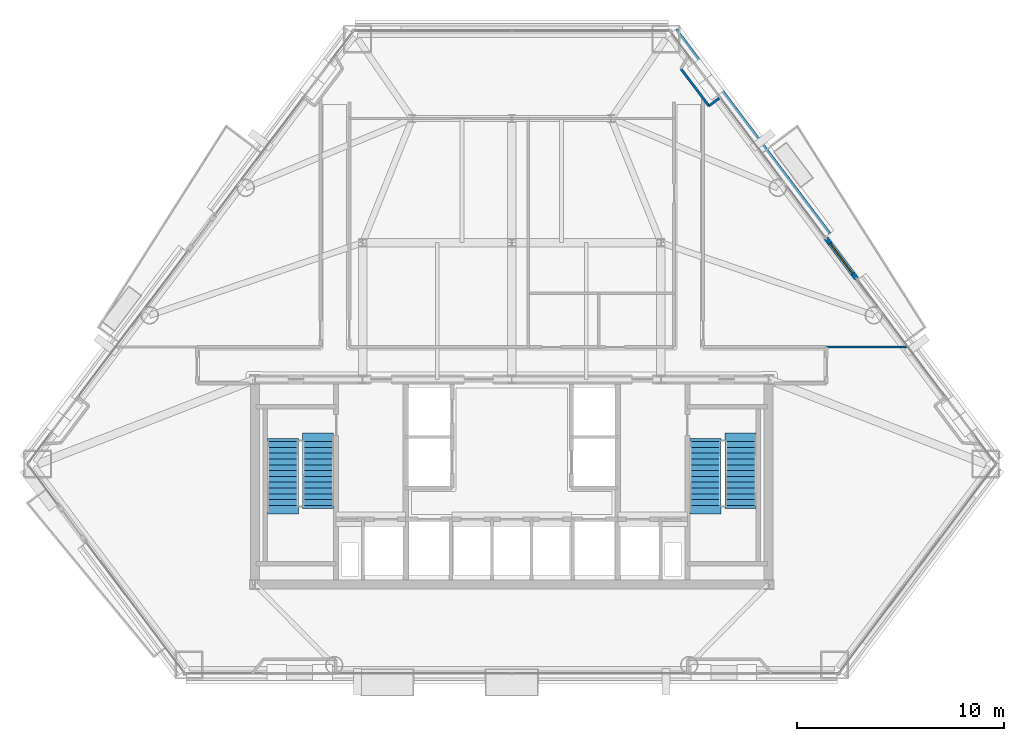
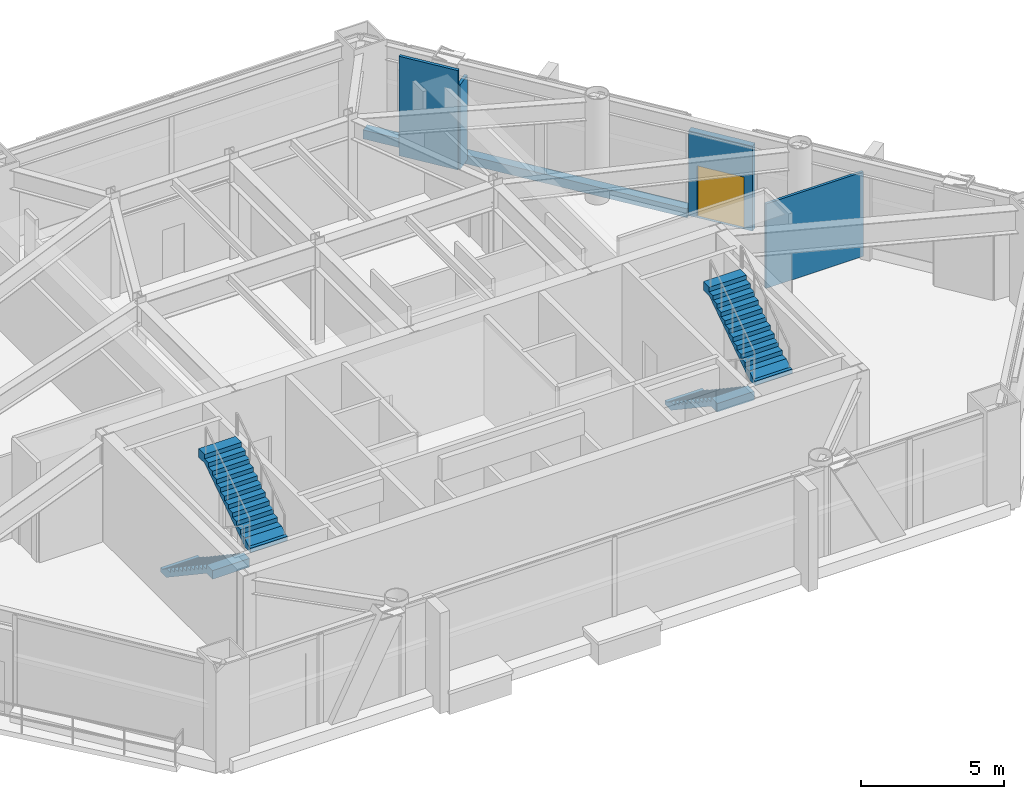
# One storey, part 8 of 10: 5 walls, 4 stair flights, 1 door, 1 opening, 2 elements without a shape of their own.
"""IFC4 building model written with IfcOpenShell, lengths in metres."""

from ifc_helpers import new_model, si_unit, direction, frame, frame_2d, origin, place, context, subcontext, project, spatial, polyline, rectangle, outline, extrude, material, layer, layer_set, type_object, element, fill, aggregate, save


model = new_model("IFC4")

# Units and contexts
model_context = context("Model", 3, precision=1e-05, world=origin(), true_north=direction((0.0, 1.0)))
body_context = subcontext(model_context, "Body", "Model", "MODEL_VIEW")
ifc_project = project(units=[si_unit("LENGTHUNIT", "METRE"), si_unit("AREAUNIT", "SQUARE_METRE"), si_unit("VOLUMEUNIT", "CUBIC_METRE"), si_unit("PLANEANGLEUNIT", "RADIAN"), si_unit("MASSUNIT", "GRAM", prefix="KILO")], contexts=[model_context])

# Site, building, storey
site_placement = place(None, origin())
site = spatial("IfcSite", under=ifc_project, at=site_placement, CompositionType="ELEMENT")
building_placement = place(site_placement, origin())
building = spatial("IfcBuilding", under=site, at=building_placement, Name="Talgorran Terracotta Tower", CompositionType="ELEMENT")
storey_placement = place(building_placement, frame((0.0, 0.0, 60.300048828125)))
storey = spatial("IfcBuildingStorey", under=building, at=storey_placement, Name="L15", CompositionType="ELEMENT", Elevation=60.300048828125)

# Wall, opening, door
ifc_material_1 = material(Name="Concrete C40/50", Category="concrete")
ifc_layer_1 = layer(ifc_material_1, 0.239990234375, Name="WT_BALCONY_SPAND")
ifc_layer_set_1 = layer_set([ifc_layer_1], Name="Concrete C40/50")
wall_type_1 = type_object("IfcWallType", Name="WT_BALCONY_SPAND", PredefinedType="STANDARD", material=ifc_layer_set_1)
wall_1_placement = place(storey_placement, frame((16.646484375, 0.665771484375, -0.01513671875), z_axis=(0.0, 0.0, 1.0), x_axis=(-0.601471893772, 0.79889396105, 0.0)))
wall_1 = element("IfcWall", 1, at=wall_1_placement, inside=storey, type_object=wall_type_1, Name="WL-L15-BALP-BAL-NE", PredefinedType="STANDARD", context=body_context, shape_type="SweptSolid", body=[
    extrude(rectangle(XDim=2.43994140625, YDim=0.239990234375, at=frame_2d((1.219970703125, 0.0))), origin(), (0.0, 0.0, 1.0), 3.62841796875),
])
opening_placement = place(wall_1_placement, frame((0.320068359375, 0.0, 0.014892578125)))
opening = element("IfcOpeningElement", 2, at=opening_placement, cuts=wall_1, Name="Opening D-BAL-L15-1", PredefinedType="OPENING", context=body_context, shape_type="SweptSolid", body=[
    extrude(rectangle(XDim=1.806048828125, YDim=2.203951171875, at=frame_2d((0.89990234375, 1.10205078125))), frame((0.0, 0.1298828125, 0.0), z_axis=(0.0, -1.0, 0.0), x_axis=(1.0, 0.0, 0.0)), (0.0, 0.0, 1.0), 0.260009765625),
])
ifc_material_2 = material(Name="Thermally Broken Aluminium", Category="aluminium")
door_type = type_object("IfcDoorType", Name="DT_BALC_1800", OperationType="SLIDING_TO_LEFT", PredefinedType="DOOR", material=ifc_material_2)
door_placement = place(opening_placement, origin())
door = element("IfcDoor", 3, at=door_placement, inside=storey, type_object=door_type, Name="DR-L15-BAL-BAL-NE", OperationType="SLIDING_TO_LEFT", OverallHeight=2.199951171875, OverallWidth=1.800048828125, PredefinedType="DOOR", context=body_context, shape_type="SweptSolid", body=[
    extrude(rectangle(XDim=1.800048828125, YDim=2.199951171875, at=frame_2d((0.89990234375, 1.10009765625))), frame((0.0, 0.02490234375, 0.0), z_axis=(0.0, -1.0, 0.0), x_axis=(1.0, 0.0, 0.0)), (0.0, 0.0, 1.0), 0.050048828125),
])
fill(opening, door)

# Walls
ifc_layer_2 = layer(ifc_material_1, 0.219970703125, Name="WT_PARAPET_RC")
ifc_layer_set_2 = layer_set([ifc_layer_2], Name="Concrete C40/50")
wall_type_2 = type_object("IfcWallType", Name="WT_PARAPET_RC", PredefinedType="PARAPET", material=ifc_layer_set_2)
wall_2_placement = place(storey_placement, frame((15.252685546875, 2.783203125, -0.199951171875), z_axis=(0.0, 0.0, 1.0), x_axis=(-0.601440550668, 0.798917557707, 0.0)))
element("IfcWall", 4, at=wall_2_placement, inside=storey, type_object=wall_type_2, Name="L15 Striped Portal Precast Cornice F41", PredefinedType="PARAPET", context=body_context, shape_type="SweptSolid", body=[
    extrude(rectangle(XDim=12.32958984375, YDim=0.360107421875, at=frame_2d((6.164794921875, 0.0))), origin(), (0.0, 0.0, 1.0), 0.3798828125),
])
ifc_material_3 = material(Name="Lightweight Steel Stud Partition", Category="steel")
ifc_layer_3 = layer(ifc_material_3, 0.10498046875, Name="WT_PART_110")
ifc_layer_set_3 = layer_set([ifc_layer_3], Name="Lightweight Steel Stud Partition")
wall_type_3 = type_object("IfcWallType", Name="WT_PART_110", PredefinedType="PARTITIONING", material=ifc_layer_set_3)
wall_3_placement = place(storey_placement, frame((15.199951171875, -2.639892578125, 0.0), z_axis=(0.0, 0.0, 1.0), x_axis=(1.0, 0.0, 0.0)))
element("IfcWall", 5, at=wall_3_placement, inside=storey, type_object=wall_type_3, Name="WL-L15-W-L15-R18", PredefinedType="PARTITIONING", context=body_context, shape_type="SweptSolid", body=[
    extrude(rectangle(XDim=3.935302734375, YDim=0.10498046875, at=frame_2d((1.9677734375, 0.0))), origin(), (0.0, 0.0, 1.0), 3.61328125),
])
ifc_material_4 = material(Name="Insulated Steel Stud Plasterboard", Category="steel")
ifc_layer_4 = layer(ifc_material_4, 0.1201171875, Name="WT_PART_120")
ifc_layer_set_4 = layer_set([ifc_layer_4], Name="Insulated Steel Stud Plasterboard")
wall_type_4 = type_object("IfcWallType", Name="WT_PART_120", PredefinedType="PARTITIONING", material=ifc_layer_set_4)
wall_4_placement = place(storey_placement, frame((9.5185546875, 9.003662109375, 0.0), z_axis=(0.0, 0.0, 1.0), x_axis=(-0.601459454583, 0.798903326124, 0.0)))
element("IfcWall", 6, at=wall_4_placement, inside=storey, type_object=wall_type_4, Name="WL-L15-BW-L15-17", PredefinedType="PARTITIONING", context=body_context, shape_type="SweptSolid", body=[
    extrude(rectangle(XDim=2.246826171875, YDim=0.1201171875, at=frame_2d((1.12353515625, 0.0))), origin(), (0.0, 0.0, 1.0), 4.25),
])
wall_5_placement = place(storey_placement, frame((10.053955078125, 9.406494140625, 0.0), z_axis=(0.0, 0.0, 1.0), x_axis=(-0.799080830747, -0.601223607265, 0.0)))
element("IfcWall", 7, at=wall_5_placement, inside=storey, type_object=wall_type_4, Name="WL-L15-BW-L15-16", PredefinedType="PARTITIONING", context=body_context, shape_type="SweptSolid", body=[
    extrude(rectangle(XDim=0.669921875, YDim=0.1201171875, at=frame_2d((0.3349609375, 0.0))), origin(), (0.0, 0.0, 1.0), 3.61328125),
])

# Stair, stair flights
stair_type = type_object("IfcStairType", Name="ST_FIRE_SCISSOR", PredefinedType="HALF_TURN_STAIR", material=ifc_material_1)
stair_1_placement = place(storey_placement, origin())
stair_1 = element("IfcStair", 8, at=stair_1_placement, inside=storey, type_object=stair_type, Name="L15 West Protected Fire Stair ST-01", PredefinedType="HALF_TURN_STAIR")
ifc_layer_5 = layer(ifc_material_1, 0.179931640625, Name="STF_RC_1500")
ifc_layer_set_5 = layer_set([ifc_layer_5], Name="Concrete C40/50")
stair_flight_type = type_object("IfcStairFlightType", Name="STF_RC_1500", PredefinedType="STRAIGHT", material=ifc_layer_set_5)
stair_flight_1_placement = place(storey_placement, frame((-11.050048828125, -7.199951171875, 0.0), z_axis=(0.0, 0.0, 1.0), x_axis=(0.0, -1.0, 0.0)))
stair_flight_1 = element("IfcStairFlight", 9, at=stair_flight_1_placement, type_object=stair_flight_type, Name="ST-01 flight 1", NumberOfRisers=12, NumberOfTreads=11, PredefinedType="STRAIGHT", RiserHeight=0.1875, TreadLength=0.28, context=body_context, shape_type="SweptSolid", body=[
    extrude(outline(polyline([(-0.139892578125, 0.0), (-0.139892578125, 0.1875), (0.0, 0.1875), (0.280029296875, 0.375), (0.56005859375, 0.375), (0.56005859375, 0.5625), (0.840087890625, 0.5625), (0.840087890625, 0.75), (1.1201171875, 0.75), (1.1201171875, 0.9375), (1.39990234375, 0.9375), (1.39990234375, 1.125), (1.679931640625, 1.125), (1.679931640625, 1.3125), (1.9599609375, 1.3125), (1.9599609375, 1.5), (2.239990234375, 1.5), (2.239990234375, 1.6875), (2.52001953125, 1.6875), (2.52001953125, 1.875), (2.800048828125, 1.875), (2.800048828125, 2.0625), (3.080078125, 2.0625), (3.080078125, 2.25), (3.5, 2.25), (3.5, 1.882080078125), (3.080078125, 1.882080078125), (0.26953125, 0.0), (-0.139892578125, 0.0)])), frame((0.0, 0.75, 0.0), z_axis=(0.0, -1.0, 0.0), x_axis=(1.0, 0.0, 0.0)), (0.0, 0.0, 1.0), 1.5),
])
stair_flight_2_placement = place(storey_placement, frame((-9.35009765625, -10.280029296875, 2.25), z_axis=(0.0, 0.0, 1.0), x_axis=(0.0, 1.0, 0.0)))
stair_flight_2 = element("IfcStairFlight", 10, at=stair_flight_2_placement, type_object=stair_flight_type, Name="ST-01 flight 2", NumberOfRisers=12, NumberOfTreads=11, PredefinedType="STRAIGHT", RiserHeight=0.1875, TreadLength=0.28, context=body_context, shape_type="SweptSolid", body=[
    extrude(outline(polyline([(-0.139892578125, 0.0), (-0.139892578125, 0.1875), (0.0, 0.1875), (0.280029296875, 0.375), (0.56005859375, 0.375), (0.56005859375, 0.5625), (0.840087890625, 0.5625), (0.840087890625, 0.75), (1.1201171875, 0.75), (1.1201171875, 0.9375), (1.39990234375, 0.9375), (1.39990234375, 1.125), (1.679931640625, 1.125), (1.679931640625, 1.3125), (1.9599609375, 1.3125), (1.9599609375, 1.5), (2.239990234375, 1.5), (2.239990234375, 1.6875), (2.52001953125, 1.6875), (2.52001953125, 1.875), (2.800048828125, 1.875), (2.800048828125, 2.0625), (3.080078125, 2.0625), (3.080078125, 2.25), (3.5, 2.25), (3.5, 1.882080078125), (3.080078125, 1.882080078125), (0.26953125, 0.0), (-0.139892578125, 0.0)])), frame((0.0, 0.75, 0.0), z_axis=(0.0, -1.0, 0.0), x_axis=(1.0, 0.0, 0.0)), (0.0, 0.0, 1.0), 1.5),
])
aggregate(stair_1, [stair_flight_1, stair_flight_2])

stair_2_placement = place(storey_placement, origin())
stair_2 = element("IfcStair", 11, at=stair_2_placement, inside=storey, type_object=stair_type, Name="L15 East Protected Fire Stair ST-02", PredefinedType="HALF_TURN_STAIR")
stair_flight_3_placement = place(storey_placement, frame((9.35009765625, -7.199951171875, 0.0), z_axis=(0.0, 0.0, 1.0), x_axis=(0.0, -1.0, 0.0)))
stair_flight_3 = element("IfcStairFlight", 12, at=stair_flight_3_placement, type_object=stair_flight_type, Name="ST-02 flight 1", NumberOfRisers=12, NumberOfTreads=11, PredefinedType="STRAIGHT", RiserHeight=0.1875, TreadLength=0.28, context=body_context, shape_type="SweptSolid", body=[
    extrude(outline(polyline([(-0.139892578125, 0.0), (-0.139892578125, 0.1875), (0.0, 0.1875), (0.280029296875, 0.375), (0.56005859375, 0.375), (0.56005859375, 0.5625), (0.840087890625, 0.5625), (0.840087890625, 0.75), (1.1201171875, 0.75), (1.1201171875, 0.9375), (1.39990234375, 0.9375), (1.39990234375, 1.125), (1.679931640625, 1.125), (1.679931640625, 1.3125), (1.9599609375, 1.3125), (1.9599609375, 1.5), (2.239990234375, 1.5), (2.239990234375, 1.6875), (2.52001953125, 1.6875), (2.52001953125, 1.875), (2.800048828125, 1.875), (2.800048828125, 2.0625), (3.080078125, 2.0625), (3.080078125, 2.25), (3.5, 2.25), (3.5, 1.882080078125), (3.080078125, 1.882080078125), (0.26953125, 0.0), (-0.139892578125, 0.0)])), frame((0.0, 0.75, 0.0), z_axis=(0.0, -1.0, 0.0), x_axis=(1.0, 0.0, 0.0)), (0.0, 0.0, 1.0), 1.5),
])
stair_flight_4_placement = place(storey_placement, frame((11.050048828125, -10.280029296875, 2.25), z_axis=(0.0, 0.0, 1.0), x_axis=(0.0, 1.0, 0.0)))
stair_flight_4 = element("IfcStairFlight", 13, at=stair_flight_4_placement, type_object=stair_flight_type, Name="ST-02 flight 2", NumberOfRisers=12, NumberOfTreads=11, PredefinedType="STRAIGHT", RiserHeight=0.1875, TreadLength=0.28, context=body_context, shape_type="SweptSolid", body=[
    extrude(outline(polyline([(-0.139892578125, 0.0), (-0.139892578125, 0.1875), (0.0, 0.1875), (0.280029296875, 0.375), (0.56005859375, 0.375), (0.56005859375, 0.5625), (0.840087890625, 0.5625), (0.840087890625, 0.75), (1.1201171875, 0.75), (1.1201171875, 0.9375), (1.39990234375, 0.9375), (1.39990234375, 1.125), (1.679931640625, 1.125), (1.679931640625, 1.3125), (1.9599609375, 1.3125), (1.9599609375, 1.5), (2.239990234375, 1.5), (2.239990234375, 1.6875), (2.52001953125, 1.6875), (2.52001953125, 1.875), (2.800048828125, 1.875), (2.800048828125, 2.0625), (3.080078125, 2.0625), (3.080078125, 2.25), (3.5, 2.25), (3.5, 1.882080078125), (3.080078125, 1.882080078125), (0.26953125, 0.0), (-0.139892578125, 0.0)])), frame((0.0, 0.75, 0.0), z_axis=(0.0, -1.0, 0.0), x_axis=(1.0, 0.0, 0.0)), (0.0, 0.0, 1.0), 1.5),
])
aggregate(stair_2, [stair_flight_3, stair_flight_4])

save(model, "model.ifc")
